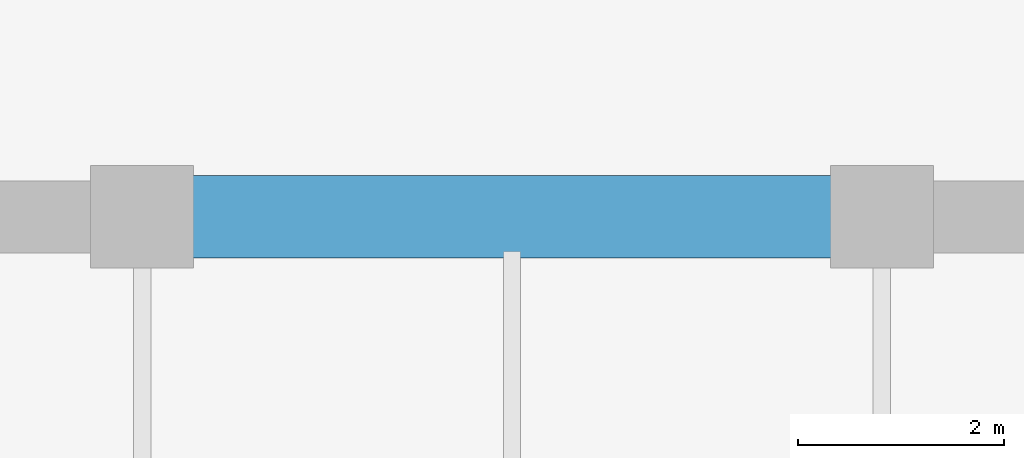
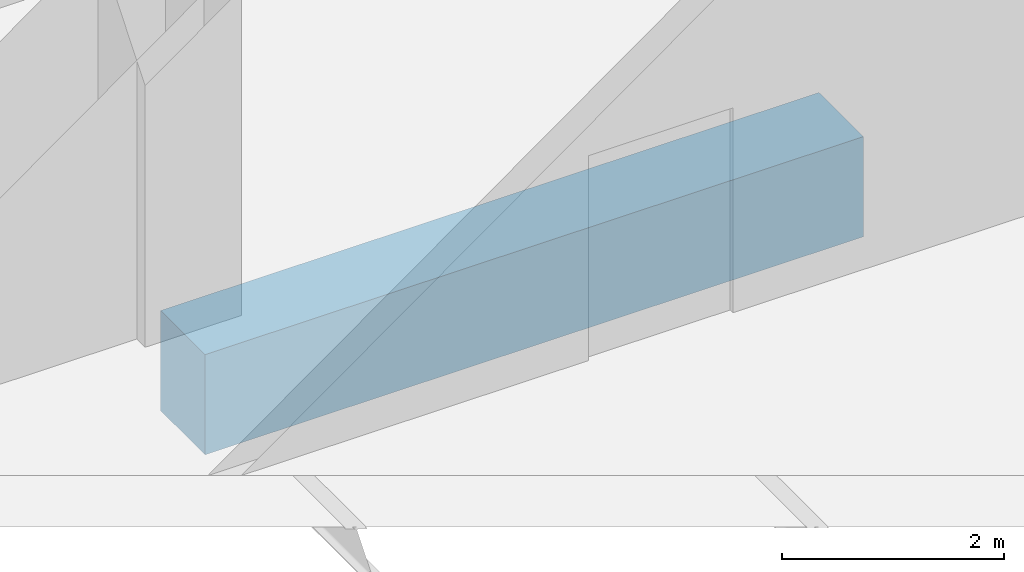
# One storey, part 7 of 26: 1 beam.
"""IFC4 building model written with IfcOpenShell, lengths in metres."""

import ifcopenshell
import ifcopenshell.guid

model = None  # the IFC model being written
_history = None  # IfcOwnerHistory: only IFC2X3 demands one
_inside = {}  # id of a spatial element -> (the spatial element, [elements in it])
_under = {}  # id of a project, library or spatial element -> (it, [spatial elements below it])
_declared = {}  # id of a project -> (the project, [libraries it declares])
_typed = {}  # id of a type object -> (the type object, [elements of that type])
_made_of = {}  # id of a material, layer set ... -> (it, [elements and type objects made of it])


def new_model(schema):
    """Start an empty IFC model of exactly this schema.

    Asked for "IFC4X3", IfcOpenShell would pick the latest addendum, in which some entities
    have other attributes; the version numbers below select the first issue.
    IFC2X3 requires an IfcOwnerHistory on every rooted entity: one is made here for all.
    """
    global model, _history
    if schema == "IFC4X3":
        model = ifcopenshell.file(schema_version=(4, 3, 0, 0))
    else:
        model = ifcopenshell.file(schema=schema)
    _inside.clear()
    _under.clear()
    _declared.clear()
    _typed.clear()
    _made_of.clear()
    _history = None
    if model.schema == "IFC2X3":
        org = make("IfcOrganization", Name="unknown")
        user = make(
            "IfcPersonAndOrganization",
            ThePerson=make("IfcPerson", FamilyName="unknown"),
            TheOrganization=org,
        )
        app = make(
            "IfcApplication",
            ApplicationDeveloper=org,
            Version="unknown",
            ApplicationFullName="unknown",
            ApplicationIdentifier="unknown",
        )
        _history = make(
            "IfcOwnerHistory",
            OwningUser=user,
            OwningApplication=app,
            ChangeAction="ADDED",
            CreationDate=0,
        )
    return model


def make(cls, **values):
    """One entity of the class cls with the attributes given. An attribute that is None is left unset."""
    return model.create_entity(
        cls, **{name: value for name, value in values.items() if value is not None}
    )


def rooted(cls, **values):
    """An entity with a GlobalId (a new one), such as an element, a storey or a relation."""
    return make(cls, GlobalId=ifcopenshell.guid.new(), OwnerHistory=_history, **values)


def si_unit(unit_type, name, prefix=None):
    """IfcSIUnit, for example si_unit("LENGTHUNIT", "METRE", prefix="MILLI")."""
    return make("IfcSIUnit", UnitType=unit_type, Prefix=prefix, Name=name)


def assignment(units):
    """IfcUnitAssignment: the units of a project."""
    return None if units is None else make("IfcUnitAssignment", Units=units)


def point(xyz):
    """IfcCartesianPoint."""
    return None if xyz is None else make("IfcCartesianPoint", Coordinates=xyz)


def direction(xyz):
    """IfcDirection."""
    return None if xyz is None else make("IfcDirection", DirectionRatios=xyz)


def frame(location, z_axis=None, x_axis=None):
    """IfcAxis2Placement3D, a coordinate frame: its origin and axes. An axis left out is left unset."""
    return make(
        "IfcAxis2Placement3D",
        Location=point(location),
        Axis=direction(z_axis),
        RefDirection=direction(x_axis),
    )


def frame_2d(location, x_axis=None):
    """IfcAxis2Placement2D, a coordinate frame in the plane: its origin and x axis."""
    return make(
        "IfcAxis2Placement2D", Location=point(location), RefDirection=direction(x_axis)
    )


def origin():
    """The frame at (0, 0, 0) with its axes left unset."""
    return frame((0.0, 0.0, 0.0))


def origin_2d():
    """The frame at (0, 0) in the plane with its x axis left unset."""
    return frame_2d((0.0, 0.0))


def place(relative_to, where):
    """IfcLocalPlacement: puts the frame where relative to a parent placement (None: the world)."""
    return make(
        "IfcLocalPlacement", PlacementRelTo=relative_to, RelativePlacement=where
    )


def context(
    kind, dimensions, precision=None, world=None, true_north=None, identifier=None
):
    """IfcGeometricRepresentationContext, for example the 3D "Model" context."""
    return make(
        "IfcGeometricRepresentationContext",
        ContextIdentifier=identifier,
        ContextType=kind,
        CoordinateSpaceDimension=dimensions,
        Precision=precision,
        WorldCoordinateSystem=world,
        TrueNorth=true_north,
    )


def subcontext(parent, identifier, kind, view, scale=None):
    """IfcGeometricRepresentationSubContext, for example "Body" below "Model"."""
    return make(
        "IfcGeometricRepresentationSubContext",
        ContextIdentifier=identifier,
        ContextType=kind,
        ParentContext=parent,
        TargetScale=scale,
        TargetView=view,
    )


def project(units=None, contexts=None):
    """IfcProject with its units and contexts."""
    return rooted(
        "IfcProject",
        Name="project",
        RepresentationContexts=contexts,
        UnitsInContext=assignment(units),
    )


def spatial(cls, under=None, at=None, **own):
    """A site, building, storey or space (cls), placed at a placement, below another one or the project."""
    s = rooted(cls, ObjectPlacement=at, **own)
    if under is not None:
        _under.setdefault(under.id(), (under, []))[1].append(s)
    return s


def profile(cls, at=None, kind="AREA", **sizes):
    """A parametric profile (cls). Its sizes go by their IFC names, for example OverallWidth=200.0."""
    return make(cls, ProfileType=kind, Position=at, **sizes)


def rectangle(**sizes):
    """IfcRectangleProfileDef."""
    return profile("IfcRectangleProfileDef", **sizes)


def extrude(swept, where, along, depth):
    """IfcExtrudedAreaSolid: the profile swept, set in the frame where, extruded along a direction by depth."""
    return make(
        "IfcExtrudedAreaSolid",
        SweptArea=swept,
        Position=where,
        ExtrudedDirection=direction(along),
        Depth=depth,
    )


def shape(context_of_items, identifier, shape_type, items):
    """IfcShapeRepresentation: the items that make up one representation, for example the "Body"."""
    return make(
        "IfcShapeRepresentation",
        ContextOfItems=context_of_items,
        RepresentationIdentifier=identifier,
        RepresentationType=shape_type,
        Items=items,
    )


def material(Name=None, Category=None):
    """IfcMaterial."""
    return make("IfcMaterial", Name=Name, Category=Category)


def material_profile(
    of_material, cross_section, Name=None, Category=None, Priority=None
):
    """IfcMaterialProfile: a cross section and its material."""
    return make(
        "IfcMaterialProfile",
        Name=Name,
        Material=of_material,
        Profile=cross_section,
        Priority=Priority,
        Category=Category,
    )


def profile_set(profiles, Name=None, composite=None):
    """IfcMaterialProfileSet."""
    return make(
        "IfcMaterialProfileSet",
        Name=Name,
        MaterialProfiles=profiles,
        CompositeProfile=composite,
    )


def made_of(thing, what):
    """Note that an element or type object is made of a material, layer set ...; save() writes the relation."""
    if what is not None:
        _made_of.setdefault(what.id(), (what, []))[1].append(thing)
    return thing


def type_object(cls, material=None, **own):
    """A type object (cls), such as IfcWallType, which elements share."""
    return made_of(rooted(cls, **own), material)


def element(
    cls,
    number,
    at=None,
    inside=None,
    cuts=None,
    type_object=None,
    material=None,
    context=None,
    identifier="Body",
    shape_type=None,
    held_by="IfcProductDefinitionShape",
    body=None,
    shapes=None,
    **own,
):
    """One element of the class cls, such as IfcWall. Its Tag is "e" and its number.

    at: its placement. inside: the storey or other place that contains it. cuts: it is an
    opening in that element (IfcRelVoidsElement). A single representation is given by context,
    identifier, shape_type and body (its items); several are given by shapes. held_by: the class
    of the entity that holds the representations. save() writes the other relations.
    """
    e = rooted(cls, Tag="e%d" % number, ObjectPlacement=at, **own)
    if body is not None:
        shapes = [shape(context, identifier, shape_type, body)]
    if shapes is not None:
        e.Representation = make(held_by, Representations=shapes)
    if inside is not None:
        _inside.setdefault(inside.id(), (inside, []))[1].append(e)
    if cuts is not None:
        rooted(
            "IfcRelVoidsElement", RelatingBuildingElement=cuts, RelatedOpeningElement=e
        )
    if type_object is not None:
        _typed.setdefault(type_object.id(), (type_object, []))[1].append(e)
    return made_of(e, material)


def aggregate(whole, parts):
    """IfcRelAggregates: a whole, such as a stair, and the parts it consists of."""
    return rooted("IfcRelAggregates", RelatingObject=whole, RelatedObjects=parts)


def save(model, path):
    """Write the relations noted so far, then the file.

    IfcRelAggregates (storeys below a building ...), IfcRelContainedInSpatialStructure (elements
    in a storey), IfcRelDefinesByType, IfcRelAssociatesMaterial and IfcRelDeclares: one each for
    every whole, place, type object, material and project.
    """
    for whole, parts in _under.values():
        aggregate(whole, parts)
    for where, things in _inside.values():
        rooted(
            "IfcRelContainedInSpatialStructure",
            RelatedElements=things,
            RelatingStructure=where,
        )
    for kind, things in _typed.values():
        rooted("IfcRelDefinesByType", RelatedObjects=things, RelatingType=kind)
    for what, things in _made_of.values():
        rooted("IfcRelAssociatesMaterial", RelatedObjects=things, RelatingMaterial=what)
    for by, libraries in _declared.values():
        rooted("IfcRelDeclares", RelatingContext=by, RelatedDefinitions=libraries)
    model.write(path)


model = new_model("IFC4")

# Units and contexts
model_context = context("Model", 3, precision=1e-05, world=origin(), true_north=direction((0.0, 1.0)))
body_context = subcontext(model_context, "Body", "Model", "MODEL_VIEW")
ifc_project = project(units=[si_unit("LENGTHUNIT", "METRE"), si_unit("AREAUNIT", "SQUARE_METRE"), si_unit("VOLUMEUNIT", "CUBIC_METRE"), si_unit("PLANEANGLEUNIT", "RADIAN"), si_unit("MASSUNIT", "GRAM", prefix="KILO")], contexts=[model_context])

# Site, building, storey
site_placement = place(None, origin())
site = spatial("IfcSite", under=ifc_project, at=site_placement, CompositionType="ELEMENT")
building_placement = place(site_placement, origin())
building = spatial("IfcBuilding", under=site, at=building_placement, Name="Kaelvorn Grand Hotel", CompositionType="ELEMENT")
storey_placement = place(building_placement, frame((0.0, 0.0, 294.699951171875)))
storey = spatial("IfcBuildingStorey", under=building, at=storey_placement, Name="L72", CompositionType="ELEMENT", Elevation=294.699951171875)

# Beam
ifc_material = material(Name="Concrete C60/75", Category="concrete")
ifc_material_profile = material_profile(ifc_material, rectangle(XDim=0.800048828125, YDim=1.10009765625, at=origin_2d()), Name="RC LINTEL 800x1100")
ifc_profile_set = profile_set([ifc_material_profile], Name="Concrete C60/75")
beam_type = type_object("IfcBeamType", Name="BM-LIN-800x1100-C60", PredefinedType="LINTEL", material=ifc_profile_set)
beam_placement = place(storey_placement, frame((23.580078125, 29.39990234375, -0.929931640625), z_axis=(1.0, 0.0, 0.0), x_axis=(0.0, 1.0, 0.0)))
element("IfcBeam", 1, at=beam_placement, inside=storey, type_object=beam_type, Name="L72 Rear-Core Coupling Lintel Beam CB1-01", PredefinedType="LINTEL", context=body_context, shape_type="SweptSolid", body=[
    extrude(rectangle(XDim=0.800048828125, YDim=1.10009765625, at=origin_2d()), origin(), (0.0, 0.0, 1.0), 6.83984375),
])

save(model, "model.ifc")
